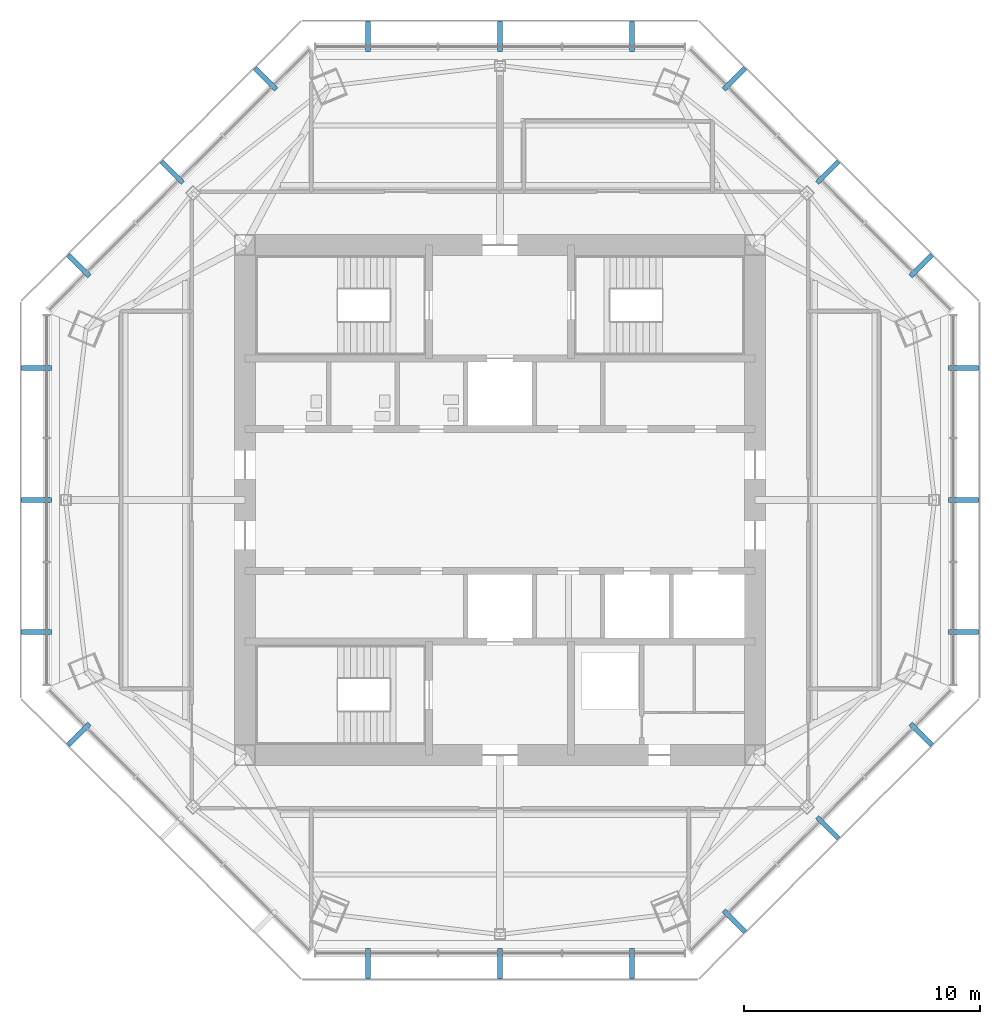
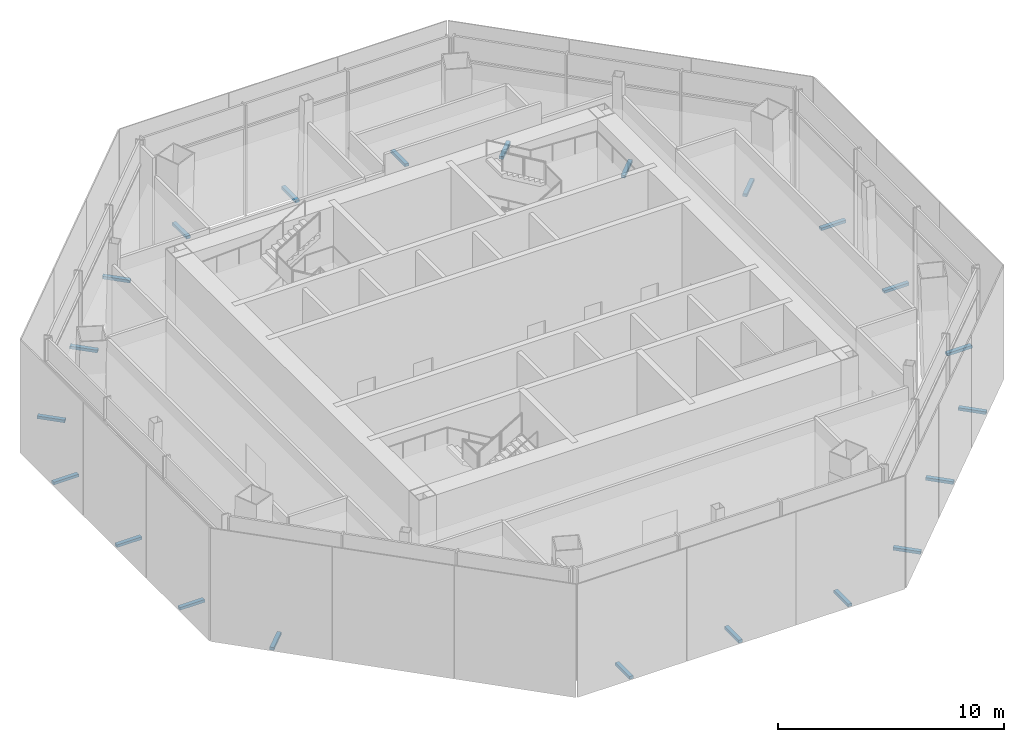
# One storey, part 7 of 11: 22 discrete accessories.
"""IFC4 building model written with IfcOpenShell, lengths in metres."""

import ifcopenshell
import ifcopenshell.guid

model = None  # the IFC model being written
_history = None  # IfcOwnerHistory: only IFC2X3 demands one
_inside = {}  # id of a spatial element -> (the spatial element, [elements in it])
_under = {}  # id of a project, library or spatial element -> (it, [spatial elements below it])
_declared = {}  # id of a project -> (the project, [libraries it declares])
_typed = {}  # id of a type object -> (the type object, [elements of that type])
_made_of = {}  # id of a material, layer set ... -> (it, [elements and type objects made of it])


def new_model(schema):
    """Start an empty IFC model of exactly this schema.

    Asked for "IFC4X3", IfcOpenShell would pick the latest addendum, in which some entities
    have other attributes; the version numbers below select the first issue.
    IFC2X3 requires an IfcOwnerHistory on every rooted entity: one is made here for all.
    """
    global model, _history
    if schema == "IFC4X3":
        model = ifcopenshell.file(schema_version=(4, 3, 0, 0))
    else:
        model = ifcopenshell.file(schema=schema)
    _inside.clear()
    _under.clear()
    _declared.clear()
    _typed.clear()
    _made_of.clear()
    _history = None
    if model.schema == "IFC2X3":
        org = make("IfcOrganization", Name="unknown")
        user = make(
            "IfcPersonAndOrganization",
            ThePerson=make("IfcPerson", FamilyName="unknown"),
            TheOrganization=org,
        )
        app = make(
            "IfcApplication",
            ApplicationDeveloper=org,
            Version="unknown",
            ApplicationFullName="unknown",
            ApplicationIdentifier="unknown",
        )
        _history = make(
            "IfcOwnerHistory",
            OwningUser=user,
            OwningApplication=app,
            ChangeAction="ADDED",
            CreationDate=0,
        )
    return model


def make(cls, **values):
    """One entity of the class cls with the attributes given. An attribute that is None is left unset."""
    return model.create_entity(
        cls, **{name: value for name, value in values.items() if value is not None}
    )


def rooted(cls, **values):
    """An entity with a GlobalId (a new one), such as an element, a storey or a relation."""
    return make(cls, GlobalId=ifcopenshell.guid.new(), OwnerHistory=_history, **values)


def si_unit(unit_type, name, prefix=None):
    """IfcSIUnit, for example si_unit("LENGTHUNIT", "METRE", prefix="MILLI")."""
    return make("IfcSIUnit", UnitType=unit_type, Prefix=prefix, Name=name)


def assignment(units):
    """IfcUnitAssignment: the units of a project."""
    return None if units is None else make("IfcUnitAssignment", Units=units)


def point(xyz):
    """IfcCartesianPoint."""
    return None if xyz is None else make("IfcCartesianPoint", Coordinates=xyz)


def direction(xyz):
    """IfcDirection."""
    return None if xyz is None else make("IfcDirection", DirectionRatios=xyz)


def frame(location, z_axis=None, x_axis=None):
    """IfcAxis2Placement3D, a coordinate frame: its origin and axes. An axis left out is left unset."""
    return make(
        "IfcAxis2Placement3D",
        Location=point(location),
        Axis=direction(z_axis),
        RefDirection=direction(x_axis),
    )


def frame_2d(location, x_axis=None):
    """IfcAxis2Placement2D, a coordinate frame in the plane: its origin and x axis."""
    return make(
        "IfcAxis2Placement2D", Location=point(location), RefDirection=direction(x_axis)
    )


def origin():
    """The frame at (0, 0, 0) with its axes left unset."""
    return frame((0.0, 0.0, 0.0))


def origin_2d():
    """The frame at (0, 0) in the plane with its x axis left unset."""
    return frame_2d((0.0, 0.0))


def place(relative_to, where):
    """IfcLocalPlacement: puts the frame where relative to a parent placement (None: the world)."""
    return make(
        "IfcLocalPlacement", PlacementRelTo=relative_to, RelativePlacement=where
    )


def context(
    kind, dimensions, precision=None, world=None, true_north=None, identifier=None
):
    """IfcGeometricRepresentationContext, for example the 3D "Model" context."""
    return make(
        "IfcGeometricRepresentationContext",
        ContextIdentifier=identifier,
        ContextType=kind,
        CoordinateSpaceDimension=dimensions,
        Precision=precision,
        WorldCoordinateSystem=world,
        TrueNorth=true_north,
    )


def subcontext(parent, identifier, kind, view, scale=None):
    """IfcGeometricRepresentationSubContext, for example "Body" below "Model"."""
    return make(
        "IfcGeometricRepresentationSubContext",
        ContextIdentifier=identifier,
        ContextType=kind,
        ParentContext=parent,
        TargetScale=scale,
        TargetView=view,
    )


def project(units=None, contexts=None):
    """IfcProject with its units and contexts."""
    return rooted(
        "IfcProject",
        Name="project",
        RepresentationContexts=contexts,
        UnitsInContext=assignment(units),
    )


def spatial(cls, under=None, at=None, **own):
    """A site, building, storey or space (cls), placed at a placement, below another one or the project."""
    s = rooted(cls, ObjectPlacement=at, **own)
    if under is not None:
        _under.setdefault(under.id(), (under, []))[1].append(s)
    return s


def profile(cls, at=None, kind="AREA", **sizes):
    """A parametric profile (cls). Its sizes go by their IFC names, for example OverallWidth=200.0."""
    return make(cls, ProfileType=kind, Position=at, **sizes)


def rectangle(**sizes):
    """IfcRectangleProfileDef."""
    return profile("IfcRectangleProfileDef", **sizes)


def extrude(swept, where, along, depth):
    """IfcExtrudedAreaSolid: the profile swept, set in the frame where, extruded along a direction by depth."""
    return make(
        "IfcExtrudedAreaSolid",
        SweptArea=swept,
        Position=where,
        ExtrudedDirection=direction(along),
        Depth=depth,
    )


def shape(context_of_items, identifier, shape_type, items):
    """IfcShapeRepresentation: the items that make up one representation, for example the "Body"."""
    return make(
        "IfcShapeRepresentation",
        ContextOfItems=context_of_items,
        RepresentationIdentifier=identifier,
        RepresentationType=shape_type,
        Items=items,
    )


def source(mapping_origin, context_of_items, identifier, shape_type, items):
    """IfcRepresentationMap: a shape defined once, which mapped items show again and again."""
    return make(
        "IfcRepresentationMap",
        MappingOrigin=mapping_origin,
        MappedRepresentation=shape(context_of_items, identifier, shape_type, items),
    )


def transform(
    local_origin,
    x_axis=None,
    y_axis=None,
    z_axis=None,
    scale=None,
    scale2=None,
    scale3=None,
    uniform=True,
):
    """IfcCartesianTransformationOperator3D, or its non-uniform kind. x_axis, y_axis, z_axis: its Axis1, 2, 3."""
    if uniform:
        return make(
            "IfcCartesianTransformationOperator3D",
            Axis1=direction(x_axis),
            Axis2=direction(y_axis),
            LocalOrigin=point(local_origin),
            Scale=scale,
            Axis3=direction(z_axis),
        )
    return make(
        "IfcCartesianTransformationOperator3DnonUniform",
        Axis1=direction(x_axis),
        Axis2=direction(y_axis),
        LocalOrigin=point(local_origin),
        Scale=scale,
        Axis3=direction(z_axis),
        Scale2=scale2,
        Scale3=scale3,
    )


def mapped(mapping_source, mapping_target):
    """IfcMappedItem: shows the shape of a source again, moved by a transform."""
    return make(
        "IfcMappedItem", MappingSource=mapping_source, MappingTarget=mapping_target
    )


def material(Name=None, Category=None):
    """IfcMaterial."""
    return make("IfcMaterial", Name=Name, Category=Category)


def made_of(thing, what):
    """Note that an element or type object is made of a material, layer set ...; save() writes the relation."""
    if what is not None:
        _made_of.setdefault(what.id(), (what, []))[1].append(thing)
    return thing


def type_object(cls, material=None, **own):
    """A type object (cls), such as IfcWallType, which elements share."""
    return made_of(rooted(cls, **own), material)


def type_shapes(of_type, sources):
    """Give a type object the sources (RepresentationMaps) that its elements show as mapped items."""
    of_type.RepresentationMaps = sources


def element(
    cls,
    number,
    at=None,
    inside=None,
    cuts=None,
    type_object=None,
    material=None,
    context=None,
    identifier="Body",
    shape_type=None,
    held_by="IfcProductDefinitionShape",
    body=None,
    shapes=None,
    **own,
):
    """One element of the class cls, such as IfcWall. Its Tag is "e" and its number.

    at: its placement. inside: the storey or other place that contains it. cuts: it is an
    opening in that element (IfcRelVoidsElement). A single representation is given by context,
    identifier, shape_type and body (its items); several are given by shapes. held_by: the class
    of the entity that holds the representations. save() writes the other relations.
    """
    e = rooted(cls, Tag="e%d" % number, ObjectPlacement=at, **own)
    if body is not None:
        shapes = [shape(context, identifier, shape_type, body)]
    if shapes is not None:
        e.Representation = make(held_by, Representations=shapes)
    if inside is not None:
        _inside.setdefault(inside.id(), (inside, []))[1].append(e)
    if cuts is not None:
        rooted(
            "IfcRelVoidsElement", RelatingBuildingElement=cuts, RelatedOpeningElement=e
        )
    if type_object is not None:
        _typed.setdefault(type_object.id(), (type_object, []))[1].append(e)
    return made_of(e, material)


def aggregate(whole, parts):
    """IfcRelAggregates: a whole, such as a stair, and the parts it consists of."""
    return rooted("IfcRelAggregates", RelatingObject=whole, RelatedObjects=parts)


def save(model, path):
    """Write the relations noted so far, then the file.

    IfcRelAggregates (storeys below a building ...), IfcRelContainedInSpatialStructure (elements
    in a storey), IfcRelDefinesByType, IfcRelAssociatesMaterial and IfcRelDeclares: one each for
    every whole, place, type object, material and project.
    """
    for whole, parts in _under.values():
        aggregate(whole, parts)
    for where, things in _inside.values():
        rooted(
            "IfcRelContainedInSpatialStructure",
            RelatedElements=things,
            RelatingStructure=where,
        )
    for kind, things in _typed.values():
        rooted("IfcRelDefinesByType", RelatedObjects=things, RelatingType=kind)
    for what, things in _made_of.values():
        rooted("IfcRelAssociatesMaterial", RelatedObjects=things, RelatingMaterial=what)
    for by, libraries in _declared.values():
        rooted("IfcRelDeclares", RelatingContext=by, RelatedDefinitions=libraries)
    model.write(path)


model = new_model("IFC4")

# Units and contexts
model_context = context("Model", 3, precision=1e-05, world=origin(), true_north=direction((0.0, 1.0)))
body_context = subcontext(model_context, "Body", "Model", "MODEL_VIEW")
ifc_project = project(units=[si_unit("LENGTHUNIT", "METRE"), si_unit("AREAUNIT", "SQUARE_METRE"), si_unit("VOLUMEUNIT", "CUBIC_METRE"), si_unit("PLANEANGLEUNIT", "RADIAN"), si_unit("MASSUNIT", "GRAM", prefix="KILO")], contexts=[model_context])

# Site, building, storey
site_placement = place(None, origin())
site = spatial("IfcSite", under=ifc_project, at=site_placement, CompositionType="ELEMENT")
building_placement = place(site_placement, origin())
building = spatial("IfcBuilding", under=site, at=building_placement, Name="Mashrafa Tower", CompositionType="ELEMENT")
storey_placement = place(building_placement, frame((0.0, 0.0, 311.60009765625)))
storey = spatial("IfcBuildingStorey", under=building, at=storey_placement, Name="L77", CompositionType="ELEMENT", Elevation=311.60009765625)

# Discrete accessories
ifc_material = material(Name="Stainless steel screen bracket", Category="steel")
discrete_accessory_type = type_object("IfcDiscreteAccessoryType", Name="Screen support bracket 200 x 150", PredefinedType="BRACKET", material=ifc_material)
shared_shape = source(origin(), body_context, "Body", "SweptSolid", [
    extrude(rectangle(XDim=0.199951171875, YDim=1.27001953125, at=origin_2d()), origin(), (0.0, 0.0, 1.0), 0.14990234375),
])
type_shapes(discrete_accessory_type, [shared_shape])
for number, where, z_axis, x_axis, name in (
    (1, (19.635009765625, -5.5908203125, -0.150146484375), (0.0, 0.0, 1.0), (0.0, 1.0, 0.0), "Screen support bracket L77 east 1"),
    (2, (19.635009765625, 0.0, -0.150146484375), (0.0, 0.0, 1.0), (0.0, 1.0, 0.0), "Screen support bracket L77 east 2"),
    (3, (19.635009765625, 5.5908203125, -0.150146484375), (0.0, 0.0, 1.0), (0.0, 1.0, 0.0), "Screen support bracket L77 east 3"),
    (4, (17.83740234375, 9.930908203125, -0.150146484375), (0.0, 0.0, 1.0), (-0.707106781187, 0.707106781187, 0.0), "Screen support bracket L77 north-east 1"),
    (5, (13.884033203125, 13.884033203125, -0.150146484375), (0.0, 0.0, 1.0), (-0.707106781187, 0.707106781187, 0.0), "Screen support bracket L77 north-east 2"),
    (6, (9.930908203125, 17.83740234375, -0.150146484375), (0.0, 0.0, 1.0), (-0.707106781187, 0.707106781187, 0.0), "Screen support bracket L77 north-east 3"),
    (7, (5.5908203125, 19.635009765625, -0.150146484375), (0.0, 0.0, 1.0), (-1.0, 0.0, 0.0), "Screen support bracket L77 north 1"),
    (8, (0.0, 19.635009765625, -0.150146484375), (0.0, 0.0, 1.0), (-1.0, 0.0, 0.0), "Screen support bracket L77 north 2"),
    (9, (-5.5908203125, 19.635009765625, -0.150146484375), (0.0, 0.0, 1.0), (-1.0, 0.0, 0.0), "Screen support bracket L77 north 3"),
    (10, (-9.930908203125, 17.83740234375, -0.150146484375), (0.0, 0.0, 1.0), (-0.707106781187, -0.707106781187, 0.0), "Screen support bracket L77 north-west 1"),
    (11, (-13.884033203125, 13.884033203125, -0.150146484375), (0.0, 0.0, 1.0), (-0.707106781187, -0.707106781187, 0.0), "Screen support bracket L77 north-west 2"),
    (12, (-17.83740234375, 9.930908203125, -0.150146484375), (0.0, 0.0, 1.0), (-0.707106781187, -0.707106781187, 0.0), "Screen support bracket L77 north-west 3"),
    (13, (-19.635009765625, 5.5908203125, -0.150146484375), (0.0, 0.0, 1.0), (0.0, -1.0, 0.0), "Screen support bracket L77 west 1"),
    (14, (-19.635009765625, 0.0, -0.150146484375), (0.0, 0.0, 1.0), (0.0, -1.0, 0.0), "Screen support bracket L77 west 2"),
    (15, (-19.635009765625, -5.5908203125, -0.150146484375), (0.0, 0.0, 1.0), (0.0, -1.0, 0.0), "Screen support bracket L77 west 3"),
    (16, (-17.83740234375, -9.930908203125, -0.150146484375), (0.0, 0.0, 1.0), (0.707106781187, -0.707106781187, 0.0), "Screen support bracket L77 south-west 1"),
    (17, (-5.5908203125, -19.635009765625, -0.150146484375), (0.0, 0.0, 1.0), (1.0, 0.0, 0.0), "Screen support bracket L77 south 1"),
    (18, (0.0, -19.635009765625, -0.150146484375), (0.0, 0.0, 1.0), (1.0, 0.0, 0.0), "Screen support bracket L77 south 2"),
    (19, (5.5908203125, -19.635009765625, -0.150146484375), (0.0, 0.0, 1.0), (1.0, 0.0, 0.0), "Screen support bracket L77 south 3"),
    (20, (9.930908203125, -17.83740234375, -0.150146484375), (0.0, 0.0, 1.0), (0.707106781187, 0.707106781187, 0.0), "Screen support bracket L77 south-east 1"),
    (21, (13.884033203125, -13.884033203125, -0.150146484375), (0.0, 0.0, 1.0), (0.707106781187, 0.707106781187, 0.0), "Screen support bracket L77 south-east 2"),
    (22, (17.83740234375, -9.930908203125, -0.150146484375), (0.0, 0.0, 1.0), (0.707106781187, 0.707106781187, 0.0), "Screen support bracket L77 south-east 3"),
):
    element("IfcDiscreteAccessory", number, at=place(storey_placement, frame(where, z_axis=z_axis, x_axis=x_axis)), inside=storey, type_object=discrete_accessory_type, Name=name, PredefinedType="BRACKET", context=body_context, shape_type="MappedRepresentation", body=[
        mapped(shared_shape, transform((0.0, 0.0, 0.0))),
    ])

save(model, "model.ifc")
